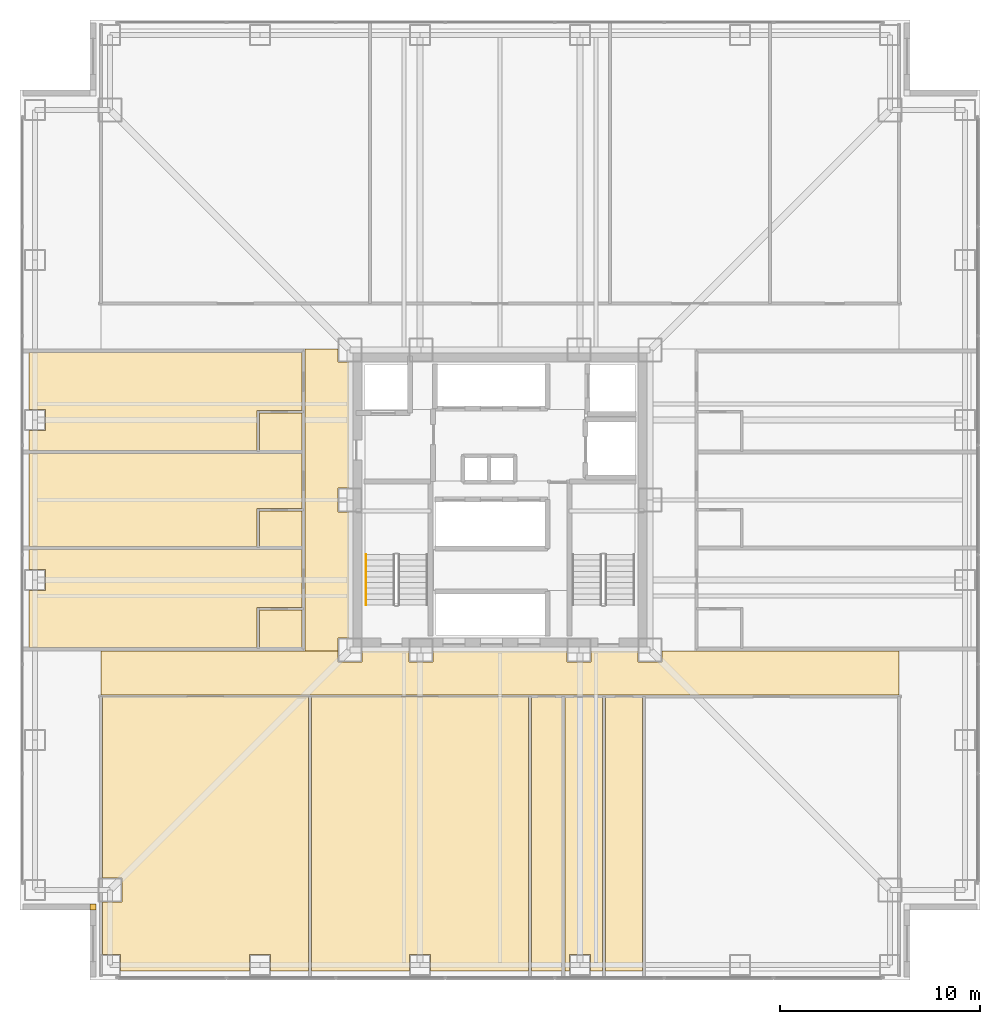
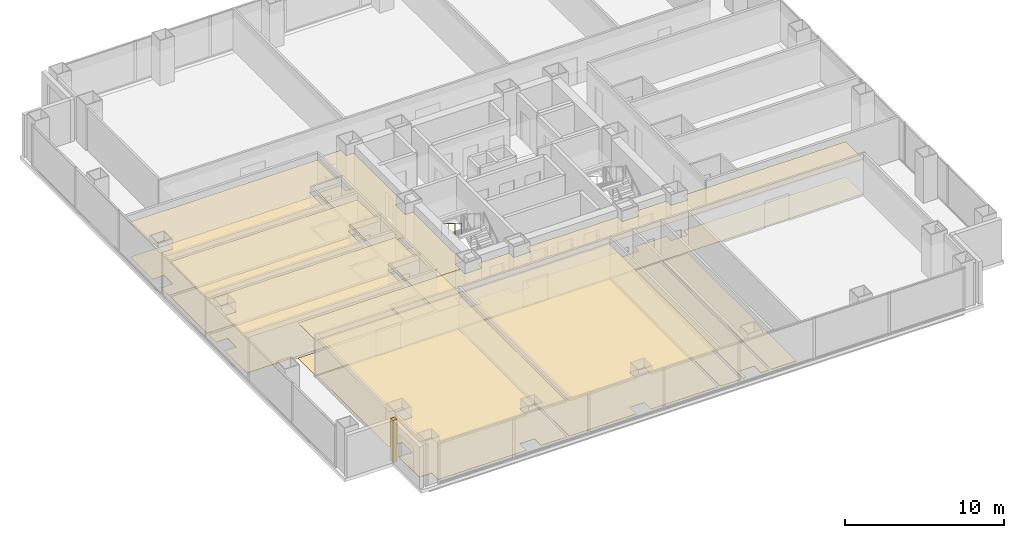
# One storey, part 14 of 16: 21 coverings, 1 railing.
"""IFC4 building model written with IfcOpenShell, lengths in metres."""

import ifcopenshell
import ifcopenshell.guid

model = None  # the IFC model being written
_history = None  # IfcOwnerHistory: only IFC2X3 demands one
_inside = {}  # id of a spatial element -> (the spatial element, [elements in it])
_under = {}  # id of a project, library or spatial element -> (it, [spatial elements below it])
_declared = {}  # id of a project -> (the project, [libraries it declares])
_typed = {}  # id of a type object -> (the type object, [elements of that type])
_made_of = {}  # id of a material, layer set ... -> (it, [elements and type objects made of it])


def new_model(schema):
    """Start an empty IFC model of exactly this schema.

    Asked for "IFC4X3", IfcOpenShell would pick the latest addendum, in which some entities
    have other attributes; the version numbers below select the first issue.
    IFC2X3 requires an IfcOwnerHistory on every rooted entity: one is made here for all.
    """
    global model, _history
    if schema == "IFC4X3":
        model = ifcopenshell.file(schema_version=(4, 3, 0, 0))
    else:
        model = ifcopenshell.file(schema=schema)
    _inside.clear()
    _under.clear()
    _declared.clear()
    _typed.clear()
    _made_of.clear()
    _history = None
    if model.schema == "IFC2X3":
        org = make("IfcOrganization", Name="unknown")
        user = make(
            "IfcPersonAndOrganization",
            ThePerson=make("IfcPerson", FamilyName="unknown"),
            TheOrganization=org,
        )
        app = make(
            "IfcApplication",
            ApplicationDeveloper=org,
            Version="unknown",
            ApplicationFullName="unknown",
            ApplicationIdentifier="unknown",
        )
        _history = make(
            "IfcOwnerHistory",
            OwningUser=user,
            OwningApplication=app,
            ChangeAction="ADDED",
            CreationDate=0,
        )
    return model


def make(cls, **values):
    """One entity of the class cls with the attributes given. An attribute that is None is left unset."""
    return model.create_entity(
        cls, **{name: value for name, value in values.items() if value is not None}
    )


def rooted(cls, **values):
    """An entity with a GlobalId (a new one), such as an element, a storey or a relation."""
    return make(cls, GlobalId=ifcopenshell.guid.new(), OwnerHistory=_history, **values)


def si_unit(unit_type, name, prefix=None):
    """IfcSIUnit, for example si_unit("LENGTHUNIT", "METRE", prefix="MILLI")."""
    return make("IfcSIUnit", UnitType=unit_type, Prefix=prefix, Name=name)


def assignment(units):
    """IfcUnitAssignment: the units of a project."""
    return None if units is None else make("IfcUnitAssignment", Units=units)


def point(xyz):
    """IfcCartesianPoint."""
    return None if xyz is None else make("IfcCartesianPoint", Coordinates=xyz)


def direction(xyz):
    """IfcDirection."""
    return None if xyz is None else make("IfcDirection", DirectionRatios=xyz)


def frame(location, z_axis=None, x_axis=None):
    """IfcAxis2Placement3D, a coordinate frame: its origin and axes. An axis left out is left unset."""
    return make(
        "IfcAxis2Placement3D",
        Location=point(location),
        Axis=direction(z_axis),
        RefDirection=direction(x_axis),
    )


def frame_2d(location, x_axis=None):
    """IfcAxis2Placement2D, a coordinate frame in the plane: its origin and x axis."""
    return make(
        "IfcAxis2Placement2D", Location=point(location), RefDirection=direction(x_axis)
    )


def origin():
    """The frame at (0, 0, 0) with its axes left unset."""
    return frame((0.0, 0.0, 0.0))


def origin_2d():
    """The frame at (0, 0) in the plane with its x axis left unset."""
    return frame_2d((0.0, 0.0))


def place(relative_to, where):
    """IfcLocalPlacement: puts the frame where relative to a parent placement (None: the world)."""
    return make(
        "IfcLocalPlacement", PlacementRelTo=relative_to, RelativePlacement=where
    )


def context(
    kind, dimensions, precision=None, world=None, true_north=None, identifier=None
):
    """IfcGeometricRepresentationContext, for example the 3D "Model" context."""
    return make(
        "IfcGeometricRepresentationContext",
        ContextIdentifier=identifier,
        ContextType=kind,
        CoordinateSpaceDimension=dimensions,
        Precision=precision,
        WorldCoordinateSystem=world,
        TrueNorth=true_north,
    )


def subcontext(parent, identifier, kind, view, scale=None):
    """IfcGeometricRepresentationSubContext, for example "Body" below "Model"."""
    return make(
        "IfcGeometricRepresentationSubContext",
        ContextIdentifier=identifier,
        ContextType=kind,
        ParentContext=parent,
        TargetScale=scale,
        TargetView=view,
    )


def project(units=None, contexts=None):
    """IfcProject with its units and contexts."""
    return rooted(
        "IfcProject",
        Name="project",
        RepresentationContexts=contexts,
        UnitsInContext=assignment(units),
    )


def spatial(cls, under=None, at=None, **own):
    """A site, building, storey or space (cls), placed at a placement, below another one or the project."""
    s = rooted(cls, ObjectPlacement=at, **own)
    if under is not None:
        _under.setdefault(under.id(), (under, []))[1].append(s)
    return s


def polyline(points):
    """IfcPolyline through the points."""
    return make("IfcPolyline", Points=[point(p) for p in points])


def profile(cls, at=None, kind="AREA", **sizes):
    """A parametric profile (cls). Its sizes go by their IFC names, for example OverallWidth=200.0."""
    return make(cls, ProfileType=kind, Position=at, **sizes)


def circle(**sizes):
    """IfcCircleProfileDef."""
    return profile("IfcCircleProfileDef", **sizes)


def outline(outer, holes=None, kind="AREA"):
    """IfcArbitraryClosedProfileDef: a profile drawn as a closed curve; with holes, ...WithVoids."""
    if holes is None:
        return make("IfcArbitraryClosedProfileDef", ProfileType=kind, OuterCurve=outer)
    return make(
        "IfcArbitraryProfileDefWithVoids",
        ProfileType=kind,
        OuterCurve=outer,
        InnerCurves=holes,
    )


def extrude(swept, where, along, depth):
    """IfcExtrudedAreaSolid: the profile swept, set in the frame where, extruded along a direction by depth."""
    return make(
        "IfcExtrudedAreaSolid",
        SweptArea=swept,
        Position=where,
        ExtrudedDirection=direction(along),
        Depth=depth,
    )


def shape(context_of_items, identifier, shape_type, items):
    """IfcShapeRepresentation: the items that make up one representation, for example the "Body"."""
    return make(
        "IfcShapeRepresentation",
        ContextOfItems=context_of_items,
        RepresentationIdentifier=identifier,
        RepresentationType=shape_type,
        Items=items,
    )


def material(Name=None, Category=None):
    """IfcMaterial."""
    return make("IfcMaterial", Name=Name, Category=Category)


def layer(
    of_material, thickness, ventilated=None, Name=None, Category=None, Priority=None
):
    """IfcMaterialLayer: one layer of a wall or slab, of a material (None: an air gap)."""
    return make(
        "IfcMaterialLayer",
        Material=of_material,
        LayerThickness=thickness,
        IsVentilated=ventilated,
        Name=Name,
        Category=Category,
        Priority=Priority,
    )


def layer_set(layers, Name=None):
    """IfcMaterialLayerSet."""
    return make("IfcMaterialLayerSet", MaterialLayers=layers, LayerSetName=Name)


def made_of(thing, what):
    """Note that an element or type object is made of a material, layer set ...; save() writes the relation."""
    if what is not None:
        _made_of.setdefault(what.id(), (what, []))[1].append(thing)
    return thing


def type_object(cls, material=None, **own):
    """A type object (cls), such as IfcWallType, which elements share."""
    return made_of(rooted(cls, **own), material)


def element(
    cls,
    number,
    at=None,
    inside=None,
    cuts=None,
    type_object=None,
    material=None,
    context=None,
    identifier="Body",
    shape_type=None,
    held_by="IfcProductDefinitionShape",
    body=None,
    shapes=None,
    **own,
):
    """One element of the class cls, such as IfcWall. Its Tag is "e" and its number.

    at: its placement. inside: the storey or other place that contains it. cuts: it is an
    opening in that element (IfcRelVoidsElement). A single representation is given by context,
    identifier, shape_type and body (its items); several are given by shapes. held_by: the class
    of the entity that holds the representations. save() writes the other relations.
    """
    e = rooted(cls, Tag="e%d" % number, ObjectPlacement=at, **own)
    if body is not None:
        shapes = [shape(context, identifier, shape_type, body)]
    if shapes is not None:
        e.Representation = make(held_by, Representations=shapes)
    if inside is not None:
        _inside.setdefault(inside.id(), (inside, []))[1].append(e)
    if cuts is not None:
        rooted(
            "IfcRelVoidsElement", RelatingBuildingElement=cuts, RelatedOpeningElement=e
        )
    if type_object is not None:
        _typed.setdefault(type_object.id(), (type_object, []))[1].append(e)
    return made_of(e, material)


def aggregate(whole, parts):
    """IfcRelAggregates: a whole, such as a stair, and the parts it consists of."""
    return rooted("IfcRelAggregates", RelatingObject=whole, RelatedObjects=parts)


def save(model, path):
    """Write the relations noted so far, then the file.

    IfcRelAggregates (storeys below a building ...), IfcRelContainedInSpatialStructure (elements
    in a storey), IfcRelDefinesByType, IfcRelAssociatesMaterial and IfcRelDeclares: one each for
    every whole, place, type object, material and project.
    """
    for whole, parts in _under.values():
        aggregate(whole, parts)
    for where, things in _inside.values():
        rooted(
            "IfcRelContainedInSpatialStructure",
            RelatedElements=things,
            RelatingStructure=where,
        )
    for kind, things in _typed.values():
        rooted("IfcRelDefinesByType", RelatedObjects=things, RelatingType=kind)
    for what, things in _made_of.values():
        rooted("IfcRelAssociatesMaterial", RelatedObjects=things, RelatingMaterial=what)
    for by, libraries in _declared.values():
        rooted("IfcRelDeclares", RelatingContext=by, RelatedDefinitions=libraries)
    model.write(path)


model = new_model("IFC4")

# Units and contexts
model_context = context("Model", 3, precision=1e-05, world=origin(), true_north=direction((0.0, 1.0)))
body_context = subcontext(model_context, "Body", "Model", "MODEL_VIEW")
ifc_project = project(units=[si_unit("LENGTHUNIT", "METRE"), si_unit("AREAUNIT", "SQUARE_METRE"), si_unit("VOLUMEUNIT", "CUBIC_METRE"), si_unit("PLANEANGLEUNIT", "RADIAN"), si_unit("MASSUNIT", "GRAM", prefix="KILO")], contexts=[model_context])

# Site, building, storey
site_placement = place(None, origin())
site = spatial("IfcSite", under=ifc_project, at=site_placement, CompositionType="ELEMENT")
building_placement = place(site_placement, origin())
building = spatial("IfcBuilding", under=site, at=building_placement, Name="Trevonay Congress Spire", CompositionType="ELEMENT")
storey_placement = place(building_placement, frame((0.0, 0.0, 51.5)))
storey = spatial("IfcBuildingStorey", under=building, at=storey_placement, Name="L12", CompositionType="ELEMENT", Elevation=51.5)

# Coverings
ifc_material_1 = material(Name="Acoustic Mineral Fibre Board", Category="gypsum")
ifc_layer_1 = layer(ifc_material_1, 0.02490234375, Name="Acoustic Mineral Fibre Board")
ifc_layer_set_1 = layer_set([ifc_layer_1], Name="Acoustic Mineral Fibre Board")
covering_type_1 = type_object("IfcCoveringType", Name="COV-CEIL-ACOUSTIC", PredefinedType="CEILING", material=ifc_layer_set_1)
covering_1_placement = place(storey_placement, frame((0.0, 0.0, 2.699951171875)))
element("IfcCovering", 1, at=covering_1_placement, inside=storey, type_object=covering_type_1, Name="L12 Hotel Floor Corridor South acoustic suspended ceiling", PredefinedType="CEILING", context=body_context, shape_type="SweptSolid", body=[
    extrude(outline(polyline([(19.949951171875, -7.550048828125), (19.949951171875, -9.75), (-19.949951171875, -9.75), (-19.949951171875, -7.550048828125), (-8.110107421875, -7.550048828125), (-8.110107421875, -8.110107421875), (-6.889892578125, -8.110107421875), (-6.889892578125, -7.550048828125), (-4.56005859375, -7.550048828125), (-4.56005859375, -8.110107421875), (-3.340087890625, -8.110107421875), (-3.340087890625, -7.550048828125), (3.340087890625, -7.550048828125), (3.340087890625, -8.110107421875), (4.56005859375, -8.110107421875), (4.56005859375, -7.550048828125), (6.889892578125, -7.550048828125), (6.889892578125, -8.110107421875), (8.110107421875, -8.110107421875), (8.110107421875, -7.550048828125), (19.949951171875, -7.550048828125)])), origin(), (0.0, 0.0, 1.0), 0.025146484375),
])
covering_2_placement = place(storey_placement, frame((0.0, 0.0, 2.699951171875)))
element("IfcCovering", 2, at=covering_2_placement, inside=storey, type_object=covering_type_1, Name="L12 Hotel Floor Corridor West acoustic suspended ceiling", PredefinedType="CEILING", context=body_context, shape_type="SweptSolid", body=[
    extrude(outline(polyline([(-9.75, 7.550048828125), (-8.110107421875, 7.550048828125), (-8.110107421875, 6.889892578125), (-7.550048828125, 6.889892578125), (-7.550048828125, 0.610107421875), (-8.110107421875, 0.610107421875), (-8.110107421875, -0.610107421875), (-7.550048828125, -0.610107421875), (-7.550048828125, -6.889892578125), (-8.110107421875, -6.889892578125), (-8.110107421875, -7.550048828125), (-9.75, -7.550048828125), (-9.75, 7.550048828125)])), origin(), (0.0, 0.0, 1.0), 0.025146484375),
])
covering_3_placement = place(storey_placement, frame((0.0, 0.0, 2.699951171875)))
element("IfcCovering", 3, at=covering_3_placement, inside=storey, type_object=covering_type_1, Name="L12 Thermal Hydrotherapy Spa Lounge acoustic suspended ceiling", PredefinedType="CEILING", context=body_context, shape_type="SweptSolid", body=[
    extrude(outline(polyline([(-18.965087890625, -23.550048828125), (-18.965087890625, -22.715087890625), (-19.8701171875, -22.715087890625), (-19.8701171875, -20.110107421875), (-18.889892578125, -20.110107421875), (-18.889892578125, -18.889892578125), (-19.8701171875, -18.889892578125), (-19.8701171875, -9.830078125), (-9.580078125, -9.830078125), (-9.580078125, -23.550048828125), (-11.465087890625, -23.550048828125), (-11.465087890625, -22.715087890625), (-12.534912109375, -22.715087890625), (-12.534912109375, -23.550048828125), (-18.965087890625, -23.550048828125)])), origin(), (0.0, 0.0, 1.0), 0.025146484375),
])
covering_4_placement = place(storey_placement, frame((0.0, 0.0, 2.699951171875)))
element("IfcCovering", 4, at=covering_4_placement, inside=storey, type_object=covering_type_1, Name="L12 Wellness Yoga and Pilates Lounge acoustic suspended ceiling", PredefinedType="CEILING", context=body_context, shape_type="SweptSolid", body=[
    extrude(outline(polyline([(-9.419921875, -23.550048828125), (-9.419921875, -9.830078125), (1.419921875, -9.830078125), (1.419921875, -23.550048828125), (-3.465087890625, -23.550048828125), (-3.465087890625, -22.715087890625), (-4.534912109375, -22.715087890625), (-4.534912109375, -23.550048828125), (-9.419921875, -23.550048828125)])), origin(), (0.0, 0.0, 1.0), 0.025146484375),
])
covering_5_placement = place(storey_placement, frame((0.0, 0.0, 2.699951171875)))
element("IfcCovering", 5, at=covering_5_placement, inside=storey, type_object=covering_type_1, Name="L12 Corner Hotel Suite acoustic suspended ceiling", PredefinedType="CEILING", context=body_context, shape_type="SweptSolid", body=[
    extrude(outline(polyline([(-23.550048828125, -4.534912109375), (-22.715087890625, -4.534912109375), (-22.715087890625, -3.465087890625), (-23.550048828125, -3.465087890625), (-23.550048828125, -2.47998046875), (-9.909912109375, -2.47998046875), (-9.909912109375, -5.3720703125), (-12.139892578125, -5.3720703125), (-12.139892578125, -7.3701171875), (-23.550048828125, -7.3701171875), (-23.550048828125, -4.534912109375)])), origin(), (0.0, 0.0, 1.0), 0.025146484375),
])
covering_6_placement = place(storey_placement, frame((0.0, 0.0, 2.699951171875)))
element("IfcCovering", 6, at=covering_6_placement, inside=storey, type_object=covering_type_1, Name="L12 Corner Hotel Suite acoustic suspended ceiling", PredefinedType="CEILING", context=body_context, shape_type="SweptSolid", body=[
    extrude(outline(polyline([(-23.550048828125, -2.320068359375), (-23.550048828125, 2.320068359375), (-9.909912109375, 2.320068359375), (-9.909912109375, -0.4169921875), (-12.139892578125, -0.4169921875), (-12.139892578125, -2.320068359375), (-23.550048828125, -2.320068359375)])), origin(), (0.0, 0.0, 1.0), 0.025146484375),
])
covering_7_placement = place(storey_placement, frame((0.0, 0.0, 2.699951171875)))
element("IfcCovering", 7, at=covering_7_placement, inside=storey, type_object=covering_type_1, Name="L12 Corner Hotel Suite acoustic suspended ceiling", PredefinedType="CEILING", context=body_context, shape_type="SweptSolid", body=[
    extrude(outline(polyline([(-23.550048828125, 3.465087890625), (-22.715087890625, 3.465087890625), (-22.715087890625, 4.534912109375), (-23.550048828125, 4.534912109375), (-23.550048828125, 7.3701171875), (-9.909912109375, 7.3701171875), (-9.909912109375, 4.47802734375), (-12.139892578125, 4.47802734375), (-12.139892578125, 2.47998046875), (-23.550048828125, 2.47998046875), (-23.550048828125, 3.465087890625)])), origin(), (0.0, 0.0, 1.0), 0.025146484375),
])
ifc_material_2 = material(Name="Polished Granite Floor Tile", Category="masonry")
ifc_layer_2 = layer(ifc_material_2, 0.02001953125, Name="Polished Granite Floor Tile")
ifc_layer_set_2 = layer_set([ifc_layer_2], Name="Polished Granite Floor Tile")
covering_type_2 = type_object("IfcCoveringType", Name="COV-FLOOR-STONE", PredefinedType="FLOORING", material=ifc_layer_set_2)
covering_8_placement = place(storey_placement, origin())
element("IfcCovering", 8, at=covering_8_placement, inside=storey, type_object=covering_type_2, Name="L12 Hotel Floor Corridor South floor finish", PredefinedType="FLOORING", context=body_context, shape_type="SweptSolid", body=[
    extrude(outline(polyline([(19.949951171875, -7.550048828125), (19.949951171875, -9.75), (-19.949951171875, -9.75), (-19.949951171875, -7.550048828125), (-8.110107421875, -7.550048828125), (-8.110107421875, -8.110107421875), (-6.889892578125, -8.110107421875), (-6.889892578125, -7.550048828125), (-4.56005859375, -7.550048828125), (-4.56005859375, -8.110107421875), (-3.340087890625, -8.110107421875), (-3.340087890625, -7.550048828125), (3.340087890625, -7.550048828125), (3.340087890625, -8.110107421875), (4.56005859375, -8.110107421875), (4.56005859375, -7.550048828125), (6.889892578125, -7.550048828125), (6.889892578125, -8.110107421875), (8.110107421875, -8.110107421875), (8.110107421875, -7.550048828125), (19.949951171875, -7.550048828125)])), origin(), (0.0, 0.0, 1.0), 0.02001953125),
])
covering_9_placement = place(storey_placement, origin())
element("IfcCovering", 9, at=covering_9_placement, inside=storey, type_object=covering_type_2, Name="L12 Hotel Floor Corridor West floor finish", PredefinedType="FLOORING", context=body_context, shape_type="SweptSolid", body=[
    extrude(outline(polyline([(-9.75, 7.550048828125), (-8.110107421875, 7.550048828125), (-8.110107421875, 6.889892578125), (-7.550048828125, 6.889892578125), (-7.550048828125, 0.610107421875), (-8.110107421875, 0.610107421875), (-8.110107421875, -0.610107421875), (-7.550048828125, -0.610107421875), (-7.550048828125, -6.889892578125), (-8.110107421875, -6.889892578125), (-8.110107421875, -7.550048828125), (-9.75, -7.550048828125), (-9.75, 7.550048828125)])), origin(), (0.0, 0.0, 1.0), 0.02001953125),
])
covering_10_placement = place(storey_placement, origin())
element("IfcCovering", 10, at=covering_10_placement, inside=storey, type_object=covering_type_2, Name="L12 Spa Changing Restroom WC floor finish", PredefinedType="FLOORING", context=body_context, shape_type="SweptSolid", body=[
    extrude(outline(polyline([(1.580078125, -23.550048828125), (3.090087890625, -23.550048828125), (3.090087890625, -9.830078125), (1.580078125, -9.830078125), (1.580078125, -23.550048828125)])), origin(), (0.0, 0.0, 1.0), 0.02001953125),
])
covering_11_placement = place(storey_placement, origin())
element("IfcCovering", 11, at=covering_11_placement, inside=storey, type_object=covering_type_2, Name="L12 Floor Supplies and Copy Room floor finish", PredefinedType="FLOORING", context=body_context, shape_type="SweptSolid", body=[
    extrude(outline(polyline([(3.25, -23.550048828125), (3.25, -9.830078125), (5.1201171875, -9.830078125), (5.1201171875, -23.550048828125), (4.534912109375, -23.550048828125), (4.534912109375, -22.715087890625), (3.465087890625, -22.715087890625), (3.465087890625, -23.550048828125), (3.25, -23.550048828125)])), origin(), (0.0, 0.0, 1.0), 0.02001953125),
])
covering_12_placement = place(storey_placement, origin())
element("IfcCovering", 12, at=covering_12_placement, inside=storey, type_object=covering_type_2, Name="L12 Accessible WC floor finish", PredefinedType="FLOORING", context=body_context, shape_type="SweptSolid", body=[
    extrude(outline(polyline([(5.280029296875, -23.550048828125), (7.1201171875, -23.550048828125), (7.1201171875, -9.830078125), (5.280029296875, -9.830078125), (5.280029296875, -23.550048828125)])), origin(), (0.0, 0.0, 1.0), 0.02001953125),
])
covering_13_placement = place(storey_placement, origin())
element("IfcCovering", 13, at=covering_13_placement, inside=storey, type_object=covering_type_2, Name="L12 En-suite Bathroom floor finish", PredefinedType="FLOORING", context=body_context, shape_type="SweptSolid", body=[
    extrude(outline(polyline([(-12.02001953125, -7.3701171875), (-9.909912109375, -7.3701171875), (-9.909912109375, -5.511962890625), (-12.02001953125, -5.511962890625), (-12.02001953125, -7.3701171875)])), origin(), (0.0, 0.0, 1.0), 0.02001953125),
])
covering_14_placement = place(storey_placement, origin())
element("IfcCovering", 14, at=covering_14_placement, inside=storey, type_object=covering_type_2, Name="L12 En-suite Bathroom floor finish", PredefinedType="FLOORING", context=body_context, shape_type="SweptSolid", body=[
    extrude(outline(polyline([(-12.02001953125, -2.320068359375), (-9.909912109375, -2.320068359375), (-9.909912109375, -0.556884765625), (-12.02001953125, -0.556884765625), (-12.02001953125, -2.320068359375)])), origin(), (0.0, 0.0, 1.0), 0.02001953125),
])
covering_15_placement = place(storey_placement, origin())
element("IfcCovering", 15, at=covering_15_placement, inside=storey, type_object=covering_type_2, Name="L12 En-suite Bathroom floor finish", PredefinedType="FLOORING", context=body_context, shape_type="SweptSolid", body=[
    extrude(outline(polyline([(-12.02001953125, 2.47998046875), (-9.909912109375, 2.47998046875), (-9.909912109375, 4.337890625), (-12.02001953125, 4.337890625), (-12.02001953125, 2.47998046875)])), origin(), (0.0, 0.0, 1.0), 0.02001953125),
])
ifc_material_3 = material(Name="Engineered Oak Flooring", Category="wood")
ifc_layer_3 = layer(ifc_material_3, 0.01806640625, Name="Engineered Oak Flooring")
ifc_layer_set_3 = layer_set([ifc_layer_3], Name="Engineered Oak Flooring")
covering_type_3 = type_object("IfcCoveringType", Name="COV-FLOOR-TIMBER", PredefinedType="FLOORING", material=ifc_layer_set_3)
covering_16_placement = place(storey_placement, origin())
element("IfcCovering", 16, at=covering_16_placement, inside=storey, type_object=covering_type_3, Name="L12 Thermal Hydrotherapy Spa Lounge floor finish", PredefinedType="FLOORING", context=body_context, shape_type="SweptSolid", body=[
    extrude(outline(polyline([(-18.965087890625, -23.550048828125), (-18.965087890625, -22.715087890625), (-19.8701171875, -22.715087890625), (-19.8701171875, -20.110107421875), (-18.889892578125, -20.110107421875), (-18.889892578125, -18.889892578125), (-19.8701171875, -18.889892578125), (-19.8701171875, -9.830078125), (-9.580078125, -9.830078125), (-9.580078125, -23.550048828125), (-11.465087890625, -23.550048828125), (-11.465087890625, -22.715087890625), (-12.534912109375, -22.715087890625), (-12.534912109375, -23.550048828125), (-18.965087890625, -23.550048828125)])), origin(), (0.0, 0.0, 1.0), 0.01806640625),
])
covering_17_placement = place(storey_placement, origin())
element("IfcCovering", 17, at=covering_17_placement, inside=storey, type_object=covering_type_3, Name="L12 Wellness Yoga and Pilates Lounge floor finish", PredefinedType="FLOORING", context=body_context, shape_type="SweptSolid", body=[
    extrude(outline(polyline([(-9.419921875, -23.550048828125), (-9.419921875, -9.830078125), (1.419921875, -9.830078125), (1.419921875, -23.550048828125), (-3.465087890625, -23.550048828125), (-3.465087890625, -22.715087890625), (-4.534912109375, -22.715087890625), (-4.534912109375, -23.550048828125), (-9.419921875, -23.550048828125)])), origin(), (0.0, 0.0, 1.0), 0.01806640625),
])
covering_18_placement = place(storey_placement, origin())
element("IfcCovering", 18, at=covering_18_placement, inside=storey, type_object=covering_type_3, Name="L12 Corner Hotel Suite floor finish", PredefinedType="FLOORING", context=body_context, shape_type="SweptSolid", body=[
    extrude(outline(polyline([(-23.550048828125, -4.534912109375), (-22.715087890625, -4.534912109375), (-22.715087890625, -3.465087890625), (-23.550048828125, -3.465087890625), (-23.550048828125, -2.47998046875), (-9.909912109375, -2.47998046875), (-9.909912109375, -5.3720703125), (-12.139892578125, -5.3720703125), (-12.139892578125, -7.3701171875), (-23.550048828125, -7.3701171875), (-23.550048828125, -4.534912109375)])), origin(), (0.0, 0.0, 1.0), 0.01806640625),
])
covering_19_placement = place(storey_placement, origin())
element("IfcCovering", 19, at=covering_19_placement, inside=storey, type_object=covering_type_3, Name="L12 Corner Hotel Suite floor finish", PredefinedType="FLOORING", context=body_context, shape_type="SweptSolid", body=[
    extrude(outline(polyline([(-23.550048828125, -2.320068359375), (-23.550048828125, 2.320068359375), (-9.909912109375, 2.320068359375), (-9.909912109375, -0.4169921875), (-12.139892578125, -0.4169921875), (-12.139892578125, -2.320068359375), (-23.550048828125, -2.320068359375)])), origin(), (0.0, 0.0, 1.0), 0.01806640625),
])
covering_20_placement = place(storey_placement, origin())
element("IfcCovering", 20, at=covering_20_placement, inside=storey, type_object=covering_type_3, Name="L12 Corner Hotel Suite floor finish", PredefinedType="FLOORING", context=body_context, shape_type="SweptSolid", body=[
    extrude(outline(polyline([(-23.550048828125, 3.465087890625), (-22.715087890625, 3.465087890625), (-22.715087890625, 4.534912109375), (-23.550048828125, 4.534912109375), (-23.550048828125, 7.3701171875), (-9.909912109375, 7.3701171875), (-9.909912109375, 4.47802734375), (-12.139892578125, 4.47802734375), (-12.139892578125, 2.47998046875), (-23.550048828125, 2.47998046875), (-23.550048828125, 3.465087890625)])), origin(), (0.0, 0.0, 1.0), 0.01806640625),
])
ifc_material_4 = material(Name="Pale Anodised Aluminium EN AW-6063-T6", Category="aluminium")
ifc_layer_4 = layer(ifc_material_4, 0.0400390625, Name="Pale Anodised Aluminium EN AW-6063-T6")
ifc_layer_set_4 = layer_set([ifc_layer_4], Name="Pale Anodised Aluminium EN AW-6063-T6")
covering_type_4 = type_object("IfcCoveringType", Name="COV-SPANDREL-PALE-METAL", PredefinedType="CLADDING", material=ifc_layer_set_4)
covering_21_placement = place(storey_placement, origin())
element("IfcCovering", 21, at=covering_21_placement, inside=storey, type_object=covering_type_4, Name="L12 SW re-entrant notch corner closure trim", PredefinedType="CLADDING", context=body_context, shape_type="SweptSolid", body=[
    extrude(outline(polyline([(-20.5, -20.5), (-20.199951171875, -20.5), (-20.199951171875, -20.199951171875), (-20.5, -20.199951171875), (-20.5, -20.5)])), origin(), (0.0, 0.0, 1.0), 3.25),
])

# Railing
railing_type = type_object("IfcRailingType", Name="RAL-STAIR-HANDRAIL", PredefinedType="HANDRAIL", material=ifc_material_4)
railing_placement = place(storey_placement, frame((-6.699951171875, -2.72998046875, 1.925048828125)))
element("IfcRailing", 22, at=railing_placement, inside=storey, type_object=railing_type, Name="L12 ST-1 stair handrail 2", PredefinedType="HANDRAIL", context=body_context, shape_type="SweptSolid", body=[
    extrude(circle(Radius=0.02392578125, at=origin_2d()), frame((0.0, 0.0, 0.8759765625), z_axis=(0.0, -0.848007534815, 0.529984170421), x_axis=(1.0, 0.0, 0.0)), (0.0, 0.0, 1.0), 2.9716796875),
    extrude(circle(Radius=0.02099609375, at=origin_2d()), origin(), (0.0, 0.0, 1.0), 0.851806640625),
    extrude(circle(Radius=0.02099609375, at=origin_2d()), frame((0.0, -0.840087890625, 0.52490234375)), (0.0, 0.0, 1.0), 0.851806640625),
    extrude(circle(Radius=0.02099609375, at=origin_2d()), frame((0.0, -1.679931640625, 1.050048828125)), (0.0, 0.0, 1.0), 0.851806640625),
    extrude(circle(Radius=0.02099609375, at=origin_2d()), frame((0.0, -2.52001953125, 1.574951171875)), (0.0, 0.0, 1.0), 0.851806640625),
])

save(model, "model.ifc")
